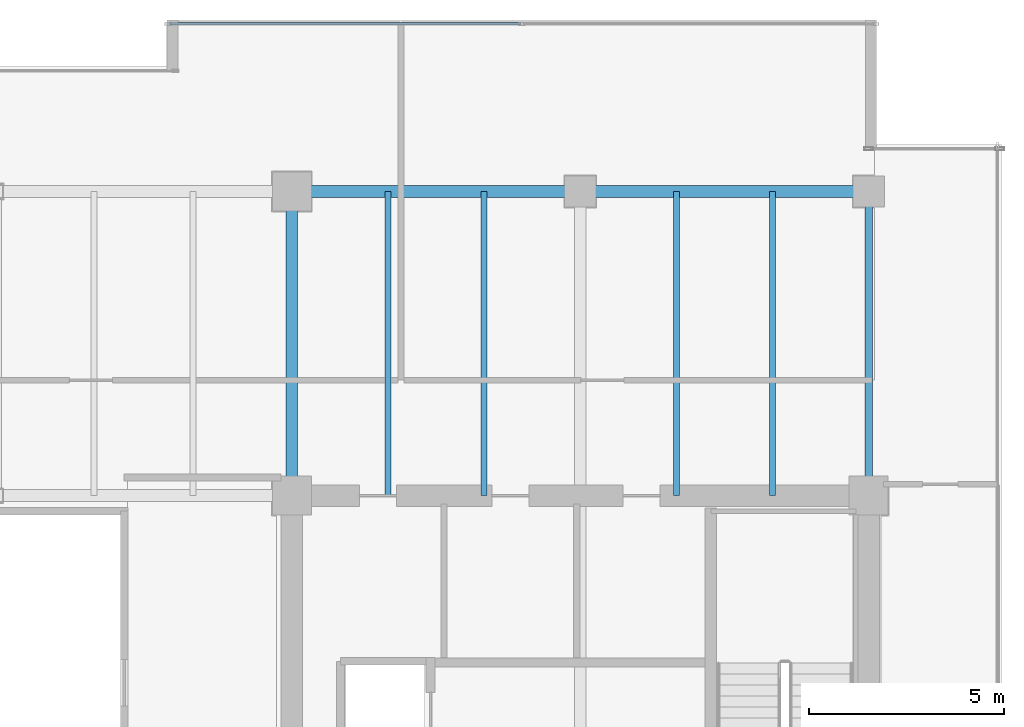
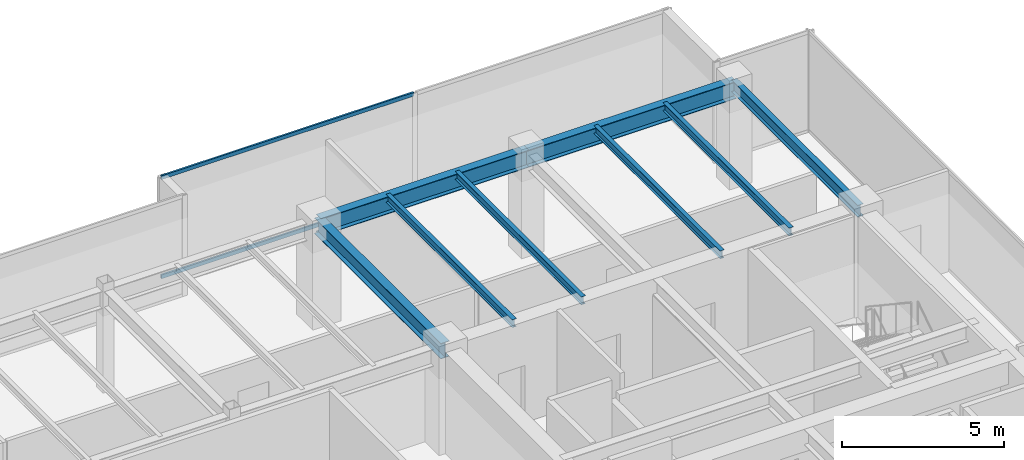
# One storey, part 20 of 35: 8 beams, 2 members, 1 element without a shape of its own.
"""IFC4 building model written with IfcOpenShell, lengths in metres."""

from ifc_helpers import new_model, si_unit, direction, frame, origin, origin_2d, place, context, subcontext, project, spatial, hollow_rectangle, i_section, extrude, source, transform, mapped, material, layer, layer_set, material_profile, profile_set, type_object, type_shapes, element, aggregate, save


model = new_model("IFC4")

# Units and contexts
model_context = context("Model", 3, precision=1e-05, world=origin(), true_north=direction((0.0, 1.0)))
body_context = subcontext(model_context, "Body", "Model", "MODEL_VIEW")
ifc_project = project(units=[si_unit("LENGTHUNIT", "METRE"), si_unit("AREAUNIT", "SQUARE_METRE"), si_unit("VOLUMEUNIT", "CUBIC_METRE"), si_unit("PLANEANGLEUNIT", "RADIAN"), si_unit("MASSUNIT", "GRAM", prefix="KILO")], contexts=[model_context])

# Site, building, storey
site_placement = place(None, origin())
site = spatial("IfcSite", under=ifc_project, at=site_placement, CompositionType="ELEMENT")
building_placement = place(site_placement, origin())
building = spatial("IfcBuilding", under=site, at=building_placement, Name="Haelvirn Gate Laboratories", CompositionType="ELEMENT")
storey_placement = place(building_placement, frame((0.0, 0.0, 221.89990234375)))
storey = spatial("IfcBuildingStorey", under=building, at=storey_placement, Name="L53", CompositionType="ELEMENT", Elevation=221.89990234375)

# Beams
ifc_material_1 = material(Name="Steel SM355", Category="steel")
ifc_material_profile_1 = material_profile(ifc_material_1, i_section(OverallWidth=0.14990234375, OverallDepth=0.300048828125, WebThickness=0.006591796875, FlangeThickness=0.009033203125, at=origin_2d()), Name="H-300x150x6.5x9")
ifc_profile_set_1 = profile_set([ifc_material_profile_1], Name="Steel SM355")
beam_type_1 = type_object("IfcBeamType", Name="BM-J-300", PredefinedType="JOIST", material=ifc_profile_set_1)
shared_shape_1 = source(origin(), body_context, "Body", "SweptSolid", [
    extrude(i_section(OverallWidth=0.14990234375, OverallDepth=0.300048828125, WebThickness=0.006591796875, FlangeThickness=0.009033203125, at=origin_2d()), origin(), (0.0, 0.0, 1.0), 7.800048828125),
])
type_shapes(beam_type_1, [shared_shape_1])
for number, where, z_axis, x_axis, name in (
    (1, (55.070068359375, 33.800048828125, 3.650146484375), (0.0, 1.0, 0.0), (-1.0, 0.0, 0.0), "L53 Composite Lab Joist North X55.07"),
    (2, (57.530029296875, 33.800048828125, 3.650146484375), (0.0, 1.0, 0.0), (-1.0, 0.0, 0.0), "L53 Composite Lab Joist North X57.53"),
    (3, (62.469970703125, 33.800048828125, 3.650146484375), (0.0, 1.0, 0.0), (-1.0, 0.0, 0.0), "L53 Composite Lab Joist North X62.47"),
    (4, (64.929931640625, 33.800048828125, 3.650146484375), (0.0, 1.0, 0.0), (-1.0, 0.0, 0.0), "L53 Composite Lab Joist North X64.93"),
):
    element("IfcBeam", number, at=place(storey_placement, frame(where, z_axis=z_axis, x_axis=x_axis)), inside=storey, type_object=beam_type_1, Name=name, PredefinedType="JOIST", context=body_context, shape_type="MappedRepresentation", body=[
        mapped(shared_shape_1, transform((0.0, 0.0, 0.0), scale=1.0)),
    ])
ifc_material_profile_2 = material_profile(ifc_material_1, i_section(OverallWidth=0.300048828125, OverallDepth=0.587890625, WebThickness=0.011962890625, FlangeThickness=0.02001953125, at=origin_2d()), Name="H-588x300x12x20")
ifc_profile_set_2 = profile_set([ifc_material_profile_2], Name="Steel SM355")
beam_type_2 = type_object("IfcBeamType", Name="BM-G-588", PredefinedType="BEAM", material=ifc_profile_set_2)
shared_shape_2 = source(origin(), body_context, "Body", "SweptSolid", [
    extrude(i_section(OverallWidth=0.300048828125, OverallDepth=0.587890625, WebThickness=0.011962890625, FlangeThickness=0.02001953125, at=origin_2d()), origin(), (0.0, 0.0, 1.0), 7.800048828125),
])
type_shapes(beam_type_2, [shared_shape_2])
beam_1_placement = place(storey_placement, frame((52.60009765625, 33.800048828125, 3.506103515625), z_axis=(0.0, 1.0, 0.0), x_axis=(-1.0, 0.0, 0.0)))
element("IfcBeam", 5, at=beam_1_placement, inside=storey, type_object=beam_type_2, Name="L53 Frame Girder X52.6 (33.8-41.6)", PredefinedType="BEAM", context=body_context, shape_type="MappedRepresentation", body=[
    mapped(shared_shape_2, transform((0.0, 0.0, 0.0), scale=1.0)),
])
ifc_material_profile_3 = material_profile(ifc_material_1, i_section(OverallWidth=0.300048828125, OverallDepth=0.64990234375, WebThickness=0.012939453125, FlangeThickness=0.02197265625, at=origin_2d()), Name="H-650x300x13x22")
ifc_profile_set_3 = profile_set([ifc_material_profile_3], Name="Steel SM355")
beam_type_3 = type_object("IfcBeamType", Name="BM-G-650", PredefinedType="BEAM", material=ifc_profile_set_3)
shared_shape_3 = source(origin(), body_context, "Body", "SweptSolid", [
    extrude(i_section(OverallWidth=0.300048828125, OverallDepth=0.64990234375, WebThickness=0.012939453125, FlangeThickness=0.02197265625, at=origin_2d()), origin(), (0.0, 0.0, 1.0), 7.39990234375),
])
type_shapes(beam_type_3, [shared_shape_3])
for number, where, z_axis, x_axis, name in (
    (6, (52.60009765625, 41.60009765625, 3.47509765625), (1.0, 0.0, 0.0), (0.0, 1.0, 0.0), "L53 Primary Girder Y41.6 (52.6-60.0)"),
    (7, (60.0, 41.60009765625, 3.47509765625), (1.0, 0.0, 0.0), (0.0, 1.0, 0.0), "L53 Primary Girder Y41.6 (60.0-67.4)"),
):
    element("IfcBeam", number, at=place(storey_placement, frame(where, z_axis=z_axis, x_axis=x_axis)), inside=storey, type_object=beam_type_3, Name=name, PredefinedType="BEAM", context=body_context, shape_type="MappedRepresentation", body=[
        mapped(shared_shape_3, transform((0.0, 0.0, 0.0), scale=1.0)),
    ])
ifc_material_profile_4 = material_profile(ifc_material_1, i_section(OverallWidth=0.199951171875, OverallDepth=0.449951171875, WebThickness=0.009033203125, FlangeThickness=0.013916015625, at=origin_2d()), Name="H-450x200x9x14")
ifc_profile_set_4 = profile_set([ifc_material_profile_4], Name="Steel SM355")
beam_type_4 = type_object("IfcBeamType", Name="BM-SP-450", PredefinedType="SPANDREL", material=ifc_profile_set_4)
shared_shape_4 = source(origin(), body_context, "Body", "SweptSolid", [
    extrude(i_section(OverallWidth=0.199951171875, OverallDepth=0.449951171875, WebThickness=0.009033203125, FlangeThickness=0.013916015625, at=origin_2d()), origin(), (0.0, 0.0, 1.0), 7.800048828125),
])
type_shapes(beam_type_4, [shared_shape_4])
beam_2_placement = place(storey_placement, frame((67.39990234375, 33.800048828125, 3.5751953125), z_axis=(0.0, 1.0, 0.0), x_axis=(-1.0, 0.0, 0.0)))
element("IfcBeam", 8, at=beam_2_placement, inside=storey, type_object=beam_type_4, Name="L53 Perimeter Spandrel X67.4 (33.8-41.6)", PredefinedType="SPANDREL", context=body_context, shape_type="MappedRepresentation", body=[
    mapped(shared_shape_4, transform((0.0, 0.0, 0.0), scale=1.0)),
])

# Curtain wall, members
ifc_material_2 = material(Name="Anodised bronze unitised aluminium & triple low-E glass", Category="aluminium")
ifc_layer = layer(ifc_material_2, 0.176025390625, Name="CW-SYS-4")
ifc_layer_set = layer_set([ifc_layer], Name="Anodised bronze unitised aluminium & triple low-E glass")
curtain_wall_type = type_object("IfcCurtainWallType", Name="CW-SYS-4", PredefinedType="NOTDEFINED", material=ifc_layer_set)
curtain_wall_placement = place(storey_placement, origin())
curtain_wall = element("IfcCurtainWall", 9, at=curtain_wall_placement, inside=storey, type_object=curtain_wall_type, Name="L53 Unitised Curtain Wall CW-L53-P0-E10-1", PredefinedType="NOTDEFINED")
ifc_material_3 = material(Name="Extruded aluminium 6063-T6 (anodised bronze)", Category="aluminium")
ifc_material_profile_5 = material_profile(ifc_material_3, hollow_rectangle(XDim=0.06494140625, YDim=0.139892578125, WallThickness=0.00390625, at=origin_2d()), Name="CWT-140x65x4")
ifc_profile_set_5 = profile_set([ifc_material_profile_5], Name="Extruded aluminium 6063-T6 (anodised bronze)")
member_type = type_object("IfcMemberType", Name="CWT-T140", PredefinedType="USERDEFINED", material=ifc_profile_set_5)
shared_shape_5 = source(origin(), body_context, "Body", "SweptSolid", [
    extrude(hollow_rectangle(XDim=0.06494140625, YDim=0.139892578125, WallThickness=0.00390625, at=origin_2d()), origin(), (0.0, 0.0, 1.0), 8.9951171875),
])
type_shapes(member_type, [shared_shape_5])
member_1_placement = place(storey_placement, frame((49.469970703125, 45.89990234375, 0.03271484375), z_axis=(1.0, 0.0, 0.0), x_axis=(0.0, 1.0, 0.0)))
member_1 = element("IfcMember", 10, at=member_1_placement, type_object=member_type, Name="CW4 transom 1.1", ObjectType="TRANSOM", PredefinedType="USERDEFINED", context=body_context, shape_type="MappedRepresentation", body=[
    mapped(shared_shape_5, transform((0.0, 0.0, 0.0), scale=1.0)),
])
member_2_placement = place(storey_placement, frame((49.469970703125, 45.89990234375, 3.767578125), z_axis=(1.0, 0.0, 0.0), x_axis=(0.0, 1.0, 0.0)))
member_2 = element("IfcMember", 11, at=member_2_placement, type_object=member_type, Name="CW4 transom 1.2", ObjectType="TRANSOM", PredefinedType="USERDEFINED", context=body_context, shape_type="MappedRepresentation", body=[
    mapped(shared_shape_5, transform((0.0, 0.0, 0.0), scale=1.0)),
])
aggregate(curtain_wall, [member_1, member_2])

save(model, "model.ifc")
